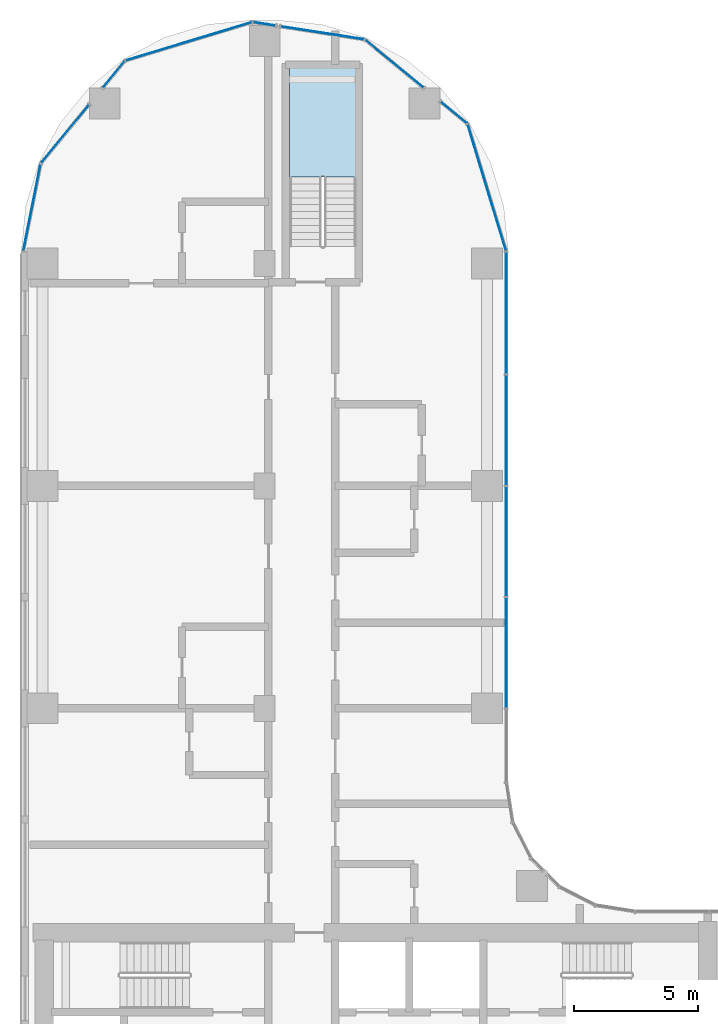
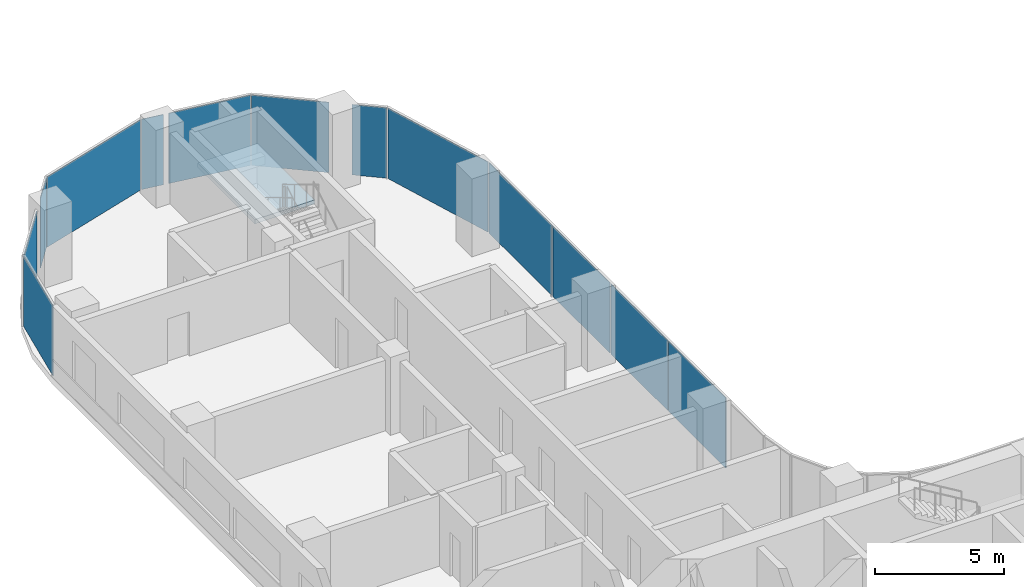
# One storey, part 15 of 35: 13 plates, 1 slab, 6 elements without a shape of their own.
"""IFC4 building model written with IfcOpenShell, lengths in metres."""

import ifcopenshell
import ifcopenshell.guid

model = None  # the IFC model being written
_history = None  # IfcOwnerHistory: only IFC2X3 demands one
_inside = {}  # id of a spatial element -> (the spatial element, [elements in it])
_under = {}  # id of a project, library or spatial element -> (it, [spatial elements below it])
_declared = {}  # id of a project -> (the project, [libraries it declares])
_typed = {}  # id of a type object -> (the type object, [elements of that type])
_made_of = {}  # id of a material, layer set ... -> (it, [elements and type objects made of it])


def new_model(schema):
    """Start an empty IFC model of exactly this schema.

    Asked for "IFC4X3", IfcOpenShell would pick the latest addendum, in which some entities
    have other attributes; the version numbers below select the first issue.
    IFC2X3 requires an IfcOwnerHistory on every rooted entity: one is made here for all.
    """
    global model, _history
    if schema == "IFC4X3":
        model = ifcopenshell.file(schema_version=(4, 3, 0, 0))
    else:
        model = ifcopenshell.file(schema=schema)
    _inside.clear()
    _under.clear()
    _declared.clear()
    _typed.clear()
    _made_of.clear()
    _history = None
    if model.schema == "IFC2X3":
        org = make("IfcOrganization", Name="unknown")
        user = make(
            "IfcPersonAndOrganization",
            ThePerson=make("IfcPerson", FamilyName="unknown"),
            TheOrganization=org,
        )
        app = make(
            "IfcApplication",
            ApplicationDeveloper=org,
            Version="unknown",
            ApplicationFullName="unknown",
            ApplicationIdentifier="unknown",
        )
        _history = make(
            "IfcOwnerHistory",
            OwningUser=user,
            OwningApplication=app,
            ChangeAction="ADDED",
            CreationDate=0,
        )
    return model


def make(cls, **values):
    """One entity of the class cls with the attributes given. An attribute that is None is left unset."""
    return model.create_entity(
        cls, **{name: value for name, value in values.items() if value is not None}
    )


def rooted(cls, **values):
    """An entity with a GlobalId (a new one), such as an element, a storey or a relation."""
    return make(cls, GlobalId=ifcopenshell.guid.new(), OwnerHistory=_history, **values)


def si_unit(unit_type, name, prefix=None):
    """IfcSIUnit, for example si_unit("LENGTHUNIT", "METRE", prefix="MILLI")."""
    return make("IfcSIUnit", UnitType=unit_type, Prefix=prefix, Name=name)


def assignment(units):
    """IfcUnitAssignment: the units of a project."""
    return None if units is None else make("IfcUnitAssignment", Units=units)


def point(xyz):
    """IfcCartesianPoint."""
    return None if xyz is None else make("IfcCartesianPoint", Coordinates=xyz)


def direction(xyz):
    """IfcDirection."""
    return None if xyz is None else make("IfcDirection", DirectionRatios=xyz)


def frame(location, z_axis=None, x_axis=None):
    """IfcAxis2Placement3D, a coordinate frame: its origin and axes. An axis left out is left unset."""
    return make(
        "IfcAxis2Placement3D",
        Location=point(location),
        Axis=direction(z_axis),
        RefDirection=direction(x_axis),
    )


def frame_2d(location, x_axis=None):
    """IfcAxis2Placement2D, a coordinate frame in the plane: its origin and x axis."""
    return make(
        "IfcAxis2Placement2D", Location=point(location), RefDirection=direction(x_axis)
    )


def origin():
    """The frame at (0, 0, 0) with its axes left unset."""
    return frame((0.0, 0.0, 0.0))


def origin_2d():
    """The frame at (0, 0) in the plane with its x axis left unset."""
    return frame_2d((0.0, 0.0))


def place(relative_to, where):
    """IfcLocalPlacement: puts the frame where relative to a parent placement (None: the world)."""
    return make(
        "IfcLocalPlacement", PlacementRelTo=relative_to, RelativePlacement=where
    )


def context(
    kind, dimensions, precision=None, world=None, true_north=None, identifier=None
):
    """IfcGeometricRepresentationContext, for example the 3D "Model" context."""
    return make(
        "IfcGeometricRepresentationContext",
        ContextIdentifier=identifier,
        ContextType=kind,
        CoordinateSpaceDimension=dimensions,
        Precision=precision,
        WorldCoordinateSystem=world,
        TrueNorth=true_north,
    )


def subcontext(parent, identifier, kind, view, scale=None):
    """IfcGeometricRepresentationSubContext, for example "Body" below "Model"."""
    return make(
        "IfcGeometricRepresentationSubContext",
        ContextIdentifier=identifier,
        ContextType=kind,
        ParentContext=parent,
        TargetScale=scale,
        TargetView=view,
    )


def project(units=None, contexts=None):
    """IfcProject with its units and contexts."""
    return rooted(
        "IfcProject",
        Name="project",
        RepresentationContexts=contexts,
        UnitsInContext=assignment(units),
    )


def spatial(cls, under=None, at=None, **own):
    """A site, building, storey or space (cls), placed at a placement, below another one or the project."""
    s = rooted(cls, ObjectPlacement=at, **own)
    if under is not None:
        _under.setdefault(under.id(), (under, []))[1].append(s)
    return s


def polyline(points):
    """IfcPolyline through the points."""
    return make("IfcPolyline", Points=[point(p) for p in points])


def profile(cls, at=None, kind="AREA", **sizes):
    """A parametric profile (cls). Its sizes go by their IFC names, for example OverallWidth=200.0."""
    return make(cls, ProfileType=kind, Position=at, **sizes)


def rectangle(**sizes):
    """IfcRectangleProfileDef."""
    return profile("IfcRectangleProfileDef", **sizes)


def outline(outer, holes=None, kind="AREA"):
    """IfcArbitraryClosedProfileDef: a profile drawn as a closed curve; with holes, ...WithVoids."""
    if holes is None:
        return make("IfcArbitraryClosedProfileDef", ProfileType=kind, OuterCurve=outer)
    return make(
        "IfcArbitraryProfileDefWithVoids",
        ProfileType=kind,
        OuterCurve=outer,
        InnerCurves=holes,
    )


def extrude(swept, where, along, depth):
    """IfcExtrudedAreaSolid: the profile swept, set in the frame where, extruded along a direction by depth."""
    return make(
        "IfcExtrudedAreaSolid",
        SweptArea=swept,
        Position=where,
        ExtrudedDirection=direction(along),
        Depth=depth,
    )


def shape(context_of_items, identifier, shape_type, items):
    """IfcShapeRepresentation: the items that make up one representation, for example the "Body"."""
    return make(
        "IfcShapeRepresentation",
        ContextOfItems=context_of_items,
        RepresentationIdentifier=identifier,
        RepresentationType=shape_type,
        Items=items,
    )


def material(Name=None, Category=None):
    """IfcMaterial."""
    return make("IfcMaterial", Name=Name, Category=Category)


def layer(
    of_material, thickness, ventilated=None, Name=None, Category=None, Priority=None
):
    """IfcMaterialLayer: one layer of a wall or slab, of a material (None: an air gap)."""
    return make(
        "IfcMaterialLayer",
        Material=of_material,
        LayerThickness=thickness,
        IsVentilated=ventilated,
        Name=Name,
        Category=Category,
        Priority=Priority,
    )


def layer_set(layers, Name=None):
    """IfcMaterialLayerSet."""
    return make("IfcMaterialLayerSet", MaterialLayers=layers, LayerSetName=Name)


def made_of(thing, what):
    """Note that an element or type object is made of a material, layer set ...; save() writes the relation."""
    if what is not None:
        _made_of.setdefault(what.id(), (what, []))[1].append(thing)
    return thing


def type_object(cls, material=None, **own):
    """A type object (cls), such as IfcWallType, which elements share."""
    return made_of(rooted(cls, **own), material)


def element(
    cls,
    number,
    at=None,
    inside=None,
    cuts=None,
    type_object=None,
    material=None,
    context=None,
    identifier="Body",
    shape_type=None,
    held_by="IfcProductDefinitionShape",
    body=None,
    shapes=None,
    **own,
):
    """One element of the class cls, such as IfcWall. Its Tag is "e" and its number.

    at: its placement. inside: the storey or other place that contains it. cuts: it is an
    opening in that element (IfcRelVoidsElement). A single representation is given by context,
    identifier, shape_type and body (its items); several are given by shapes. held_by: the class
    of the entity that holds the representations. save() writes the other relations.
    """
    e = rooted(cls, Tag="e%d" % number, ObjectPlacement=at, **own)
    if body is not None:
        shapes = [shape(context, identifier, shape_type, body)]
    if shapes is not None:
        e.Representation = make(held_by, Representations=shapes)
    if inside is not None:
        _inside.setdefault(inside.id(), (inside, []))[1].append(e)
    if cuts is not None:
        rooted(
            "IfcRelVoidsElement", RelatingBuildingElement=cuts, RelatedOpeningElement=e
        )
    if type_object is not None:
        _typed.setdefault(type_object.id(), (type_object, []))[1].append(e)
    return made_of(e, material)


def aggregate(whole, parts):
    """IfcRelAggregates: a whole, such as a stair, and the parts it consists of."""
    return rooted("IfcRelAggregates", RelatingObject=whole, RelatedObjects=parts)


def save(model, path):
    """Write the relations noted so far, then the file.

    IfcRelAggregates (storeys below a building ...), IfcRelContainedInSpatialStructure (elements
    in a storey), IfcRelDefinesByType, IfcRelAssociatesMaterial and IfcRelDeclares: one each for
    every whole, place, type object, material and project.
    """
    for whole, parts in _under.values():
        aggregate(whole, parts)
    for where, things in _inside.values():
        rooted(
            "IfcRelContainedInSpatialStructure",
            RelatedElements=things,
            RelatingStructure=where,
        )
    for kind, things in _typed.values():
        rooted("IfcRelDefinesByType", RelatedObjects=things, RelatingType=kind)
    for what, things in _made_of.values():
        rooted("IfcRelAssociatesMaterial", RelatedObjects=things, RelatingMaterial=what)
    for by, libraries in _declared.values():
        rooted("IfcRelDeclares", RelatingContext=by, RelatedDefinitions=libraries)
    model.write(path)


model = new_model("IFC4")

# Units and contexts
model_context = context("Model", 3, precision=1e-05, world=origin(), true_north=direction((0.0, 1.0)))
body_context = subcontext(model_context, "Body", "Model", "MODEL_VIEW")
ifc_project = project(units=[si_unit("LENGTHUNIT", "METRE"), si_unit("AREAUNIT", "SQUARE_METRE"), si_unit("VOLUMEUNIT", "CUBIC_METRE"), si_unit("PLANEANGLEUNIT", "RADIAN"), si_unit("MASSUNIT", "GRAM", prefix="KILO")], contexts=[model_context])

# Site, building, storey
site_placement = place(None, origin())
site = spatial("IfcSite", under=ifc_project, at=site_placement, CompositionType="ELEMENT")
building_placement = place(site_placement, origin())
building = spatial("IfcBuilding", under=site, at=building_placement, Name="Ogive Portal Towers", CompositionType="ELEMENT")
storey_placement = place(building_placement, frame((0.0, 0.0, 94.5)))
storey = spatial("IfcBuildingStorey", under=building, at=storey_placement, Name="L22", CompositionType="ELEMENT", Elevation=94.5)

# Curtain wall, plates
ifc_material_1 = material(Name="Glass, clear low-iron insulated glazing", Category="glass")
curtain_wall_type = type_object("IfcCurtainWallType", Name="CW FRONT RIBBON 4500", PredefinedType="NOTDEFINED", material=ifc_material_1)
curtain_wall_1_placement = place(storey_placement, origin())
curtain_wall_1 = element("IfcCurtainWall", 1, at=curtain_wall_1_placement, inside=storey, type_object=curtain_wall_type, Name="A:L22:f17:cw0", PredefinedType="NOTDEFINED")
ifc_layer_1 = layer(ifc_material_1, 0.028076171875)
ifc_layer_set_1 = layer_set([ifc_layer_1], Name="CW PANEL IGU 28")
plate_type = type_object("IfcPlateType", Name="CW PANEL IGU 28", PredefinedType="CURTAIN_PANEL", material=ifc_layer_set_1)
plate_1_placement = place(storey_placement, frame((50.27490234375, 50.75, 0.0), z_axis=(0.0, 0.0, 1.0), x_axis=(0.0, 1.0, 0.0)))
plate_1 = element("IfcPlate", 2, at=plate_1_placement, type_object=plate_type, Name="panel", PredefinedType="CURTAIN_PANEL", context=body_context, shape_type="SweptSolid", body=[
    extrude(rectangle(XDim=4.43994140625, YDim=0.028076171875, at=origin_2d()), origin(), (0.0, 0.0, 1.0), 3.340087890625),
])
plate_2_placement = place(storey_placement, frame((50.27490234375, 55.25, 0.0), z_axis=(0.0, 0.0, 1.0), x_axis=(0.0, 1.0, 0.0)))
plate_2 = element("IfcPlate", 3, at=plate_2_placement, type_object=plate_type, Name="panel", PredefinedType="CURTAIN_PANEL", context=body_context, shape_type="SweptSolid", body=[
    extrude(rectangle(XDim=4.43994140625, YDim=0.028076171875, at=origin_2d()), origin(), (0.0, 0.0, 1.0), 3.340087890625),
])
plate_3_placement = place(storey_placement, frame((50.27490234375, 59.75, 0.0), z_axis=(0.0, 0.0, 1.0), x_axis=(0.0, 1.0, 0.0)))
plate_3 = element("IfcPlate", 4, at=plate_3_placement, type_object=plate_type, Name="panel", PredefinedType="CURTAIN_PANEL", context=body_context, shape_type="SweptSolid", body=[
    extrude(rectangle(XDim=4.43994140625, YDim=0.028076171875, at=origin_2d()), origin(), (0.0, 0.0, 1.0), 3.340087890625),
])
plate_4_placement = place(storey_placement, frame((50.27490234375, 64.494140625, 0.0), z_axis=(0.0, 0.0, 1.0), x_axis=(0.0, 1.0, 0.0)))
plate_4 = element("IfcPlate", 5, at=plate_4_placement, type_object=plate_type, Name="panel", PredefinedType="CURTAIN_PANEL", context=body_context, shape_type="SweptSolid", body=[
    extrude(rectangle(XDim=4.92822265625, YDim=0.028076171875, at=origin_2d()), origin(), (0.0, 0.0, 1.0), 3.340087890625),
])
aggregate(curtain_wall_1, [plate_1, plate_2, plate_3, plate_4])

curtain_wall_2_placement = place(storey_placement, origin())
curtain_wall_2 = element("IfcCurtainWall", 6, at=curtain_wall_2_placement, inside=storey, type_object=curtain_wall_type, Name="A:L22:f18:cwa~0", PredefinedType="NOTDEFINED")
plate_5_placement = place(storey_placement, frame((49.491943359375, 69.569580078125, 0.0), z_axis=(0.0, 0.0, 1.0), x_axis=(-0.290284677254, 0.956940335732, 0.0)))
plate_5 = element("IfcPlate", 7, at=plate_5_placement, type_object=plate_type, Name="panel", PredefinedType="CURTAIN_PANEL", context=body_context, shape_type="SweptSolid", body=[
    extrude(rectangle(XDim=5.335205078125, YDim=0.028076171875, at=origin_2d()), origin(), (0.0, 0.0, 1.0), 3.340087890625),
])
plate_6_placement = place(storey_placement, frame((48.153564453125, 72.606689453125, 0.0), z_axis=(0.0, 0.0, 1.0), x_axis=(-0.773010453363, 0.634393284164, 0.0)))
plate_6 = element("IfcPlate", 8, at=plate_6_placement, type_object=plate_type, Name="panel", PredefinedType="CURTAIN_PANEL", context=body_context, shape_type="SweptSolid", body=[
    extrude(rectangle(XDim=1.377197265625, YDim=0.028076171875, at=origin_2d()), origin(), (0.0, 0.0, 1.0), 3.340087890625),
])
aggregate(curtain_wall_2, [plate_5, plate_6])

curtain_wall_3_placement = place(storey_placement, origin())
curtain_wall_3 = element("IfcCurtainWall", 9, at=curtain_wall_3_placement, inside=storey, type_object=curtain_wall_type, Name="A:L22:f18:cwa~1", PredefinedType="NOTDEFINED")
plate_7_placement = place(storey_placement, frame((45.745849609375, 74.58251953125, 0.0), z_axis=(0.0, 0.0, 1.0), x_axis=(-0.773010453363, 0.634393284164, 0.0)))
plate_7 = element("IfcPlate", 10, at=plate_7_placement, type_object=plate_type, Name="panel", PredefinedType="CURTAIN_PANEL", context=body_context, shape_type="SweptSolid", body=[
    extrude(rectangle(XDim=3.0439453125, YDim=0.028076171875, at=origin_2d()), origin(), (0.0, 0.0, 1.0), 3.340087890625),
])
plate_8_placement = place(storey_placement, frame((42.83544921875, 75.833251953125, 0.0), z_axis=(0.0, 0.0, 1.0), x_axis=(-0.988127542509, 0.153635802256, 0.0)))
plate_8 = element("IfcPlate", 11, at=plate_8_placement, type_object=plate_type, Name="panel", PredefinedType="CURTAIN_PANEL", context=body_context, shape_type="SweptSolid", body=[
    extrude(rectangle(XDim=3.40234375, YDim=0.028076171875, at=origin_2d()), origin(), (0.0, 0.0, 1.0), 3.340087890625),
])
aggregate(curtain_wall_3, [plate_7, plate_8])

curtain_wall_4_placement = place(storey_placement, origin())
curtain_wall_4 = element("IfcCurtainWall", 12, at=curtain_wall_4_placement, inside=storey, type_object=curtain_wall_type, Name="A:L22:f18:cwa~2", PredefinedType="NOTDEFINED")
plate_9_placement = place(storey_placement, frame((40.482177734375, 76.198974609375, 0.0), z_axis=(0.0, 0.0, 1.0), x_axis=(-0.988127542509, 0.153635802256, 0.0)))
plate_9 = element("IfcPlate", 13, at=plate_9_placement, type_object=plate_type, Name="panel", PredefinedType="CURTAIN_PANEL", context=body_context, shape_type="SweptSolid", body=[
    extrude(rectangle(XDim=0.904296875, YDim=0.028076171875, at=origin_2d()), origin(), (0.0, 0.0, 1.0), 3.340087890625),
])
plate_10_placement = place(storey_placement, frame((37.427490234375, 75.490966796875, 0.0), z_axis=(0.0, 0.0, 1.0), x_axis=(-0.956940335732, -0.290284677254, 0.0)))
plate_10 = element("IfcPlate", 14, at=plate_10_placement, type_object=plate_type, Name="panel", PredefinedType="CURTAIN_PANEL", context=body_context, shape_type="SweptSolid", body=[
    extrude(rectangle(XDim=5.32861328125, YDim=0.028076171875, at=origin_2d()), origin(), (0.0, 0.0, 1.0), 3.340087890625),
])
plate_11_placement = place(storey_placement, frame((34.393310546875, 74.153564453125, 0.0), z_axis=(0.0, 0.0, 1.0), x_axis=(-0.634393284164, -0.773010453363, 0.0)))
plate_11 = element("IfcPlate", 15, at=plate_11_placement, type_object=plate_type, Name="panel", PredefinedType="CURTAIN_PANEL", context=body_context, shape_type="SweptSolid", body=[
    extrude(rectangle(XDim=1.377197265625, YDim=0.028076171875, at=origin_2d()), origin(), (0.0, 0.0, 1.0), 3.340087890625),
])
aggregate(curtain_wall_4, [plate_9, plate_10, plate_11])

curtain_wall_5_placement = place(storey_placement, origin())
curtain_wall_5 = element("IfcCurtainWall", 16, at=curtain_wall_5_placement, inside=storey, type_object=curtain_wall_type, Name="A:L22:f18:cwa~3", PredefinedType="NOTDEFINED")
plate_12_placement = place(storey_placement, frame((32.416748046875, 71.7451171875, 0.0), z_axis=(0.0, 0.0, 1.0), x_axis=(-0.634393284164, -0.773010453363, 0.0)))
plate_12 = element("IfcPlate", 17, at=plate_12_placement, type_object=plate_type, Name="panel", PredefinedType="CURTAIN_PANEL", context=body_context, shape_type="SweptSolid", body=[
    extrude(rectangle(XDim=3.0458984375, YDim=0.028076171875, at=origin_2d()), origin(), (0.0, 0.0, 1.0), 3.340087890625),
])
plate_13_placement = place(storey_placement, frame((31.078369140625, 68.768310546875, 0.0), z_axis=(0.0, 0.0, 1.0), x_axis=(-0.195090322016, -0.980785280403, 0.0)))
plate_13 = element("IfcPlate", 18, at=plate_13_placement, type_object=plate_type, Name="panel", PredefinedType="CURTAIN_PANEL", context=body_context, shape_type="SweptSolid", body=[
    extrude(rectangle(XDim=3.562255859375, YDim=0.028076171875, at=origin_2d()), origin(), (0.0, 0.0, 1.0), 3.340087890625),
])
aggregate(curtain_wall_5, [plate_12, plate_13])

# Stair, slab
ifc_material_2 = material(Name="Concrete C40/50", Category="concrete")
stair_type = type_object("IfcStairType", Name="INT-STAIR", PredefinedType="HALF_TURN_STAIR", material=ifc_material_2)
stair_placement = place(storey_placement, origin())
stair = element("IfcStair", 19, at=stair_placement, inside=storey, type_object=stair_type, Name="L22 Exit Stair ST-A3", PredefinedType="HALF_TURN_STAIR")
ifc_layer_2 = layer(ifc_material_2, 0.199951171875)
ifc_layer_set_2 = layer_set([ifc_layer_2], Name="INT-LANDING")
slab_type = type_object("IfcSlabType", Name="INT-LANDING", PredefinedType="LANDING", material=ifc_layer_set_2)
slab_placement = place(storey_placement, frame((0.0, 0.0, 1.64990234375)))
slab = element("IfcSlab", 20, at=slab_placement, type_object=slab_type, Name="ST-A3 landing 1", PredefinedType="LANDING", context=body_context, shape_type="SweptSolid", body=[
    extrude(outline(polyline([(44.199951171875, 70.0), (44.199951171875, 74.449951171875), (41.5, 74.449951171875), (41.5, 70.0), (44.199951171875, 70.0)])), origin(), (0.0, 0.0, 1.0), 0.2001953125),
])
aggregate(stair, [slab])

save(model, "model.ifc")
